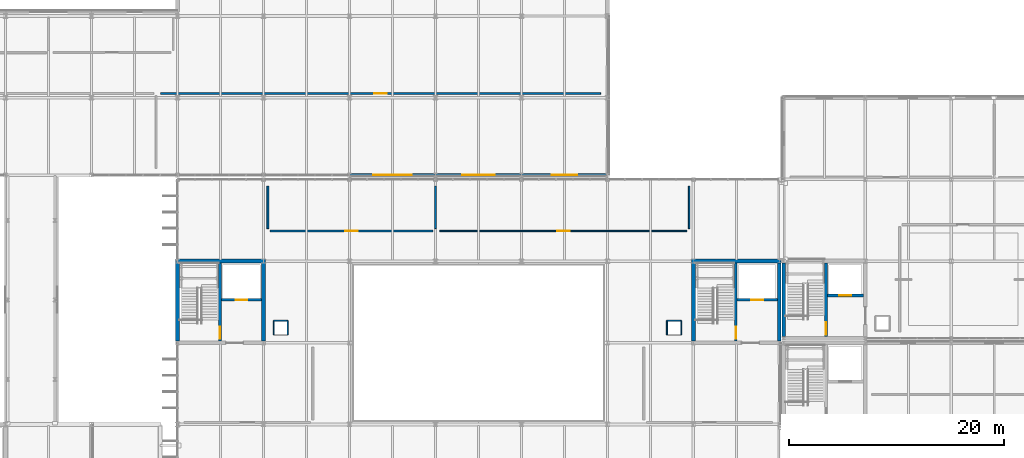
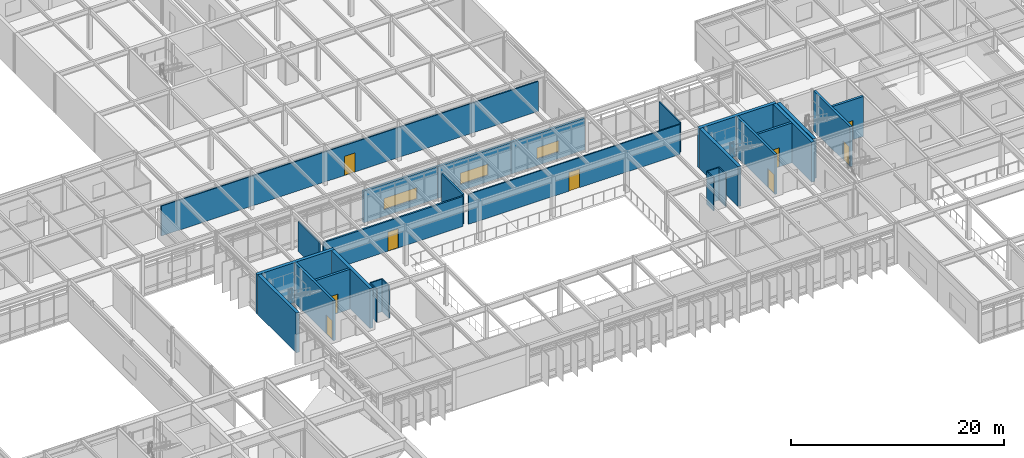
# One storey, part 84 of 104: 28 walls, 9 doors, 3 windows, 12 openings.
"""IFC4 building model written with IfcOpenShell, lengths in metres."""

from ifc_helpers import new_model, si_unit, direction, frame, frame_2d, origin, place, context, subcontext, project, spatial, rectangle, extrude, material, layer, layer_set, type_object, element, fill, save


model = new_model("IFC4")

# Units and contexts
model_context = context("Model", 3, precision=1e-05, world=origin(), true_north=direction((0.0, 1.0)))
body_context = subcontext(model_context, "Body", "Model", "MODEL_VIEW")
ifc_project = project(units=[si_unit("LENGTHUNIT", "METRE"), si_unit("AREAUNIT", "SQUARE_METRE"), si_unit("VOLUMEUNIT", "CUBIC_METRE"), si_unit("PLANEANGLEUNIT", "RADIAN"), si_unit("MASSUNIT", "GRAM", prefix="KILO")], contexts=[model_context])

# Site, building, storey
site_placement = place(None, origin())
site = spatial("IfcSite", under=ifc_project, at=site_placement, CompositionType="ELEMENT")
building_placement = place(site_placement, origin())
building = spatial("IfcBuilding", under=site, at=building_placement, Name="Zulena Civic Courthouse", CompositionType="ELEMENT")
storey_placement = place(building_placement, frame((0.0, 0.0, 10.800048828125)))
storey = spatial("IfcBuildingStorey", under=building, at=storey_placement, Name="L02", CompositionType="ELEMENT", Elevation=10.800048828125)

# Wall, opening, door
ifc_material_1 = material(Name="Concrete C40/50", Category="concrete")
ifc_layer_1 = layer(ifc_material_1, 0.25)
ifc_layer_set_1 = layer_set([ifc_layer_1], Name="Concrete C40/50")
wall_type_1 = type_object("IfcWallType", Name="CoreShearWall_RC250", PredefinedType="SHEAR", material=ifc_layer_set_1)
wall_1_placement = place(storey_placement, frame((128.35009765625, 30.97509765625, 0.0), z_axis=(0.0, 0.0, 1.0), x_axis=(0.0, 1.0, 0.0)))
wall_1 = element("IfcWall", 1, at=wall_1_placement, inside=storey, type_object=wall_type_1, Name="cwall:K3A:L02:DIV", PredefinedType="SHEAR", context=body_context, shape_type="SweptSolid", body=[
    extrude(rectangle(XDim=6.849853515625, YDim=0.25, at=frame_2d((3.4248046875, 0.0))), origin(), (0.0, 0.0, 1.0), 4.58984375),
])
opening_1_placement = place(wall_1_placement, frame((0.179931640625, 0.0, 0.0)))
opening_1 = element("IfcOpeningElement", 2, at=opening_1_placement, cuts=wall_1, Name="Opening ID08", PredefinedType="OPENING", context=body_context, shape_type="SweptSolid", body=[
    extrude(rectangle(XDim=1.14990234375, YDim=2.199951171875, at=frame_2d((0.574951171875, 1.10009765625))), frame((0.0, 0.135009765625, 0.0), z_axis=(0.0, -1.0, 0.0), x_axis=(1.0, 0.0, 0.0)), (0.0, 0.0, 1.0), 0.27001953125),
])
ifc_material_2 = material(Name="Fire-rated galvanised steel ASTM A653 Grade 50", Category="steel")
door_type_1 = type_object("IfcDoorType", Name="IntDoor_Stair_1150x2200", OperationType="NOTDEFINED", PredefinedType="DOOR", material=ifc_material_2)
door_1_placement = place(opening_1_placement, origin())
door_1 = element("IfcDoor", 3, at=door_1_placement, inside=storey, type_object=door_type_1, Name="door:stair:K3A:L02", OperationType="SINGLE_SWING_LEFT", OverallHeight=2.199951171875, OverallWidth=1.14990234375, PredefinedType="DOOR", context=body_context, shape_type="SweptSolid", body=[
    extrude(rectangle(XDim=1.14990234375, YDim=2.199951171875, at=frame_2d((0.574951171875, 1.10009765625))), frame((0.0, 0.02490234375, 0.0), z_axis=(0.0, -1.0, 0.0), x_axis=(1.0, 0.0, 0.0)), (0.0, 0.0, 1.0), 0.050048828125),
])
fill(opening_1, door_1)

wall_2_placement = place(storey_placement, frame((128.47509765625, 34.800048828125, 0.0), z_axis=(0.0, 0.0, 1.0), x_axis=(1.0, 0.0, 0.0)))
wall_2 = element("IfcWall", 4, at=wall_2_placement, inside=storey, type_object=wall_type_1, Name="cwall:K3A:L02:SHF", PredefinedType="SHEAR", context=body_context, shape_type="SweptSolid", body=[
    extrude(rectangle(XDim=3.349853515625, YDim=0.25, at=frame_2d((1.6748046875, 0.0))), origin(), (0.0, 0.0, 1.0), 4.58984375),
])
opening_2_placement = place(wall_2_placement, frame((1.1201171875, 0.0, 0.0)))
opening_2 = element("IfcOpeningElement", 5, at=opening_2_placement, cuts=wall_2, Name="Opening LD02", PredefinedType="OPENING", context=body_context, shape_type="SweptSolid", body=[
    extrude(rectangle(XDim=1.10009765625, YDim=2.199951171875, at=frame_2d((0.550048828125, 1.10009765625))), frame((0.0, 0.135009765625, 0.0), z_axis=(0.0, -1.0, 0.0), x_axis=(1.0, 0.0, 0.0)), (0.0, 0.0, 1.0), 0.27001953125),
])
door_type_2 = type_object("IfcDoorType", Name="LiftLandingDoor_Pass_1100x2200", OperationType="SLIDING_TO_LEFT", PredefinedType="DOOR", material=ifc_material_2)
door_2_placement = place(opening_2_placement, origin())
door_2 = element("IfcDoor", 6, at=door_2_placement, inside=storey, type_object=door_type_2, Name="door:ld:PL-02:L02", OperationType="SLIDING_TO_LEFT", OverallHeight=2.199951171875, OverallWidth=1.10009765625, PredefinedType="DOOR", context=body_context, shape_type="SweptSolid", body=[
    extrude(rectangle(XDim=1.10009765625, YDim=2.199951171875, at=frame_2d((0.550048828125, 1.10009765625))), frame((0.0, 0.02490234375, 0.0), z_axis=(0.0, -1.0, 0.0), x_axis=(1.0, 0.0, 0.0)), (0.0, 0.0, 1.0), 0.050048828125),
])
fill(opening_2, door_2)

wall_3_placement = place(storey_placement, frame((71.949951171875, 30.574951171875, 0.0), z_axis=(0.0, 0.0, 1.0), x_axis=(0.0, 1.0, 0.0)))
wall_3 = element("IfcWall", 7, at=wall_3_placement, inside=storey, type_object=wall_type_1, Name="cwall:K4A:L02:DIV", PredefinedType="SHEAR", context=body_context, shape_type="SweptSolid", body=[
    extrude(rectangle(XDim=7.25, YDim=0.25, at=frame_2d((3.625, 0.0))), origin(), (0.0, 0.0, 1.0), 4.58984375),
])
opening_3_placement = place(wall_3_placement, frame((0.179931640625, 0.0, 0.0)))
opening_3 = element("IfcOpeningElement", 8, at=opening_3_placement, cuts=wall_3, Name="Opening ID08", PredefinedType="OPENING", context=body_context, shape_type="SweptSolid", body=[
    extrude(rectangle(XDim=1.14990234375, YDim=2.199951171875, at=frame_2d((0.574951171875, 1.10009765625))), frame((0.0, 0.135009765625, 0.0), z_axis=(0.0, -1.0, 0.0), x_axis=(1.0, 0.0, 0.0)), (0.0, 0.0, 1.0), 0.27001953125),
])
door_3_placement = place(opening_3_placement, origin())
door_3 = element("IfcDoor", 9, at=door_3_placement, inside=storey, type_object=door_type_1, Name="door:stair:K4A:L02", OperationType="SINGLE_SWING_LEFT", OverallHeight=2.199951171875, OverallWidth=1.14990234375, PredefinedType="DOOR", context=body_context, shape_type="SweptSolid", body=[
    extrude(rectangle(XDim=1.14990234375, YDim=2.199951171875, at=frame_2d((0.574951171875, 1.10009765625))), frame((0.0, 0.02490234375, 0.0), z_axis=(0.0, -1.0, 0.0), x_axis=(1.0, 0.0, 0.0)), (0.0, 0.0, 1.0), 0.050048828125),
])
fill(opening_3, door_3)

wall_4_placement = place(storey_placement, frame((72.074951171875, 34.39990234375, 0.0), z_axis=(0.0, 0.0, 1.0), x_axis=(1.0, 0.0, 0.0)))
wall_4 = element("IfcWall", 10, at=wall_4_placement, inside=storey, type_object=wall_type_1, Name="cwall:K4A:L02:SHF", PredefinedType="SHEAR", context=body_context, shape_type="SweptSolid", body=[
    extrude(rectangle(XDim=3.75, YDim=0.25, at=frame_2d((1.875, 0.0))), origin(), (0.0, 0.0, 1.0), 4.58984375),
])
opening_4_placement = place(wall_4_placement, frame((1.320068359375, 0.0, 0.0)))
opening_4 = element("IfcOpeningElement", 11, at=opening_4_placement, cuts=wall_4, Name="Opening LD02", PredefinedType="OPENING", context=body_context, shape_type="SweptSolid", body=[
    extrude(rectangle(XDim=1.10009765625, YDim=2.199951171875, at=frame_2d((0.550048828125, 1.10009765625))), frame((0.0, 0.135009765625, 0.0), z_axis=(0.0, -1.0, 0.0), x_axis=(1.0, 0.0, 0.0)), (0.0, 0.0, 1.0), 0.27001953125),
])
door_4_placement = place(opening_4_placement, origin())
door_4 = element("IfcDoor", 12, at=door_4_placement, inside=storey, type_object=door_type_2, Name="door:ld:PL-03:L02", OperationType="SLIDING_TO_LEFT", OverallHeight=2.199951171875, OverallWidth=1.10009765625, PredefinedType="DOOR", context=body_context, shape_type="SweptSolid", body=[
    extrude(rectangle(XDim=1.10009765625, YDim=2.199951171875, at=frame_2d((0.550048828125, 1.10009765625))), frame((0.0, 0.02490234375, 0.0), z_axis=(0.0, -1.0, 0.0), x_axis=(1.0, 0.0, 0.0)), (0.0, 0.0, 1.0), 0.050048828125),
])
fill(opening_4, door_4)

wall_5_placement = place(storey_placement, frame((119.949951171875, 30.574951171875, 0.0), z_axis=(0.0, 0.0, 1.0), x_axis=(0.0, 1.0, 0.0)))
wall_5 = element("IfcWall", 13, at=wall_5_placement, inside=storey, type_object=wall_type_1, Name="cwall:K4B:L02:DIV", PredefinedType="SHEAR", context=body_context, shape_type="SweptSolid", body=[
    extrude(rectangle(XDim=7.25, YDim=0.25, at=frame_2d((3.625, 0.0))), origin(), (0.0, 0.0, 1.0), 4.58984375),
])
opening_5_placement = place(wall_5_placement, frame((0.179931640625, 0.0, 0.0)))
opening_5 = element("IfcOpeningElement", 14, at=opening_5_placement, cuts=wall_5, Name="Opening ID08", PredefinedType="OPENING", context=body_context, shape_type="SweptSolid", body=[
    extrude(rectangle(XDim=1.14990234375, YDim=2.199951171875, at=frame_2d((0.574951171875, 1.10009765625))), frame((0.0, 0.135009765625, 0.0), z_axis=(0.0, -1.0, 0.0), x_axis=(1.0, 0.0, 0.0)), (0.0, 0.0, 1.0), 0.27001953125),
])
door_5_placement = place(opening_5_placement, origin())
door_5 = element("IfcDoor", 15, at=door_5_placement, inside=storey, type_object=door_type_1, Name="door:stair:K4B:L02", OperationType="SINGLE_SWING_RIGHT", OverallHeight=2.199951171875, OverallWidth=1.14990234375, PredefinedType="DOOR", context=body_context, shape_type="SweptSolid", body=[
    extrude(rectangle(XDim=1.14990234375, YDim=2.199951171875, at=frame_2d((0.574951171875, 1.10009765625))), frame((0.0, 0.02490234375, 0.0), z_axis=(0.0, -1.0, 0.0), x_axis=(1.0, 0.0, 0.0)), (0.0, 0.0, 1.0), 0.050048828125),
])
fill(opening_5, door_5)

wall_6_placement = place(storey_placement, frame((120.074951171875, 34.39990234375, 0.0), z_axis=(0.0, 0.0, 1.0), x_axis=(1.0, 0.0, 0.0)))
wall_6 = element("IfcWall", 16, at=wall_6_placement, inside=storey, type_object=wall_type_1, Name="cwall:K4B:L02:SHF", PredefinedType="SHEAR", context=body_context, shape_type="SweptSolid", body=[
    extrude(rectangle(XDim=3.75, YDim=0.25, at=frame_2d((1.875, 0.0))), origin(), (0.0, 0.0, 1.0), 4.58984375),
])
opening_6_placement = place(wall_6_placement, frame((1.320068359375, 0.0, 0.0)))
opening_6 = element("IfcOpeningElement", 17, at=opening_6_placement, cuts=wall_6, Name="Opening LD02", PredefinedType="OPENING", context=body_context, shape_type="SweptSolid", body=[
    extrude(rectangle(XDim=1.10009765625, YDim=2.199951171875, at=frame_2d((0.550048828125, 1.10009765625))), frame((0.0, 0.135009765625, 0.0), z_axis=(0.0, -1.0, 0.0), x_axis=(1.0, 0.0, 0.0)), (0.0, 0.0, 1.0), 0.27001953125),
])
door_6_placement = place(opening_6_placement, origin())
door_6 = element("IfcDoor", 18, at=door_6_placement, inside=storey, type_object=door_type_2, Name="door:ld:PL-04:L02", OperationType="SLIDING_TO_LEFT", OverallHeight=2.199951171875, OverallWidth=1.10009765625, PredefinedType="DOOR", context=body_context, shape_type="SweptSolid", body=[
    extrude(rectangle(XDim=1.10009765625, YDim=2.199951171875, at=frame_2d((0.550048828125, 1.10009765625))), frame((0.0, 0.02490234375, 0.0), z_axis=(0.0, -1.0, 0.0), x_axis=(1.0, 0.0, 0.0)), (0.0, 0.0, 1.0), 0.050048828125),
])
fill(opening_6, door_6)

# Walls
ifc_layer_2 = layer(ifc_material_1, 0.35009765625)
ifc_layer_set_2 = layer_set([ifc_layer_2], Name="Concrete C40/50")
wall_type_2 = type_object("IfcWallType", Name="CoreShearWall_RC350", PredefinedType="SHEAR", material=ifc_layer_set_2)
wall_7_placement = place(storey_placement, frame((124.39990234375, 30.97509765625, 0.0), z_axis=(0.0, 0.0, 1.0), x_axis=(0.0, 1.0, 0.0)))
element("IfcWall", 19, at=wall_7_placement, inside=storey, type_object=wall_type_2, Name="cwall:K3A:L02:W", PredefinedType="SHEAR", context=body_context, shape_type="SweptSolid", body=[
    extrude(rectangle(XDim=6.849853515625, YDim=0.35009765625, at=frame_2d((3.4248046875, 0.0))), origin(), (0.0, 0.0, 1.0), 4.58984375),
])
wall_8_placement = place(storey_placement, frame((67.824951171875, 38.0, 0.0), z_axis=(0.0, 0.0, 1.0), x_axis=(1.0, 0.0, 0.0)))
element("IfcWall", 20, at=wall_8_placement, inside=storey, type_object=wall_type_2, Name="cwall:K4A:L02:N", PredefinedType="SHEAR", context=body_context, shape_type="SweptSolid", body=[
    extrude(rectangle(XDim=8.35009765625, YDim=0.35009765625, at=frame_2d((4.175048828125, 0.0))), origin(), (0.0, 0.0, 1.0), 4.58984375),
])
for number, where, z_axis, x_axis, name in (
    (21, (68.0, 30.574951171875, 0.0), (0.0, 0.0, 1.0), (0.0, 1.0, 0.0), "cwall:K4A:L02:W"),
    (22, (76.0, 30.574951171875, 0.0), (0.0, 0.0, 1.0), (0.0, 1.0, 0.0), "cwall:K4A:L02:E"),
):
    element("IfcWall", number, at=place(storey_placement, frame(where, z_axis=z_axis, x_axis=x_axis)), inside=storey, type_object=wall_type_2, Name=name, PredefinedType="SHEAR", context=body_context, shape_type="SweptSolid", body=[
        extrude(rectangle(XDim=7.25, YDim=0.35009765625, at=frame_2d((3.625, 0.0))), origin(), (0.0, 0.0, 1.0), 4.58984375),
    ])
wall_9_placement = place(storey_placement, frame((115.824951171875, 38.0, 0.0), z_axis=(0.0, 0.0, 1.0), x_axis=(1.0, 0.0, 0.0)))
element("IfcWall", 23, at=wall_9_placement, inside=storey, type_object=wall_type_2, Name="cwall:K4B:L02:N", PredefinedType="SHEAR", context=body_context, shape_type="SweptSolid", body=[
    extrude(rectangle(XDim=8.35009765625, YDim=0.35009765625, at=frame_2d((4.175048828125, 0.0))), origin(), (0.0, 0.0, 1.0), 4.58984375),
])
for number, where, z_axis, x_axis, name in (
    (24, (116.0, 30.574951171875, 0.0), (0.0, 0.0, 1.0), (0.0, 1.0, 0.0), "cwall:K4B:L02:W"),
    (25, (124.0, 30.574951171875, 0.0), (0.0, 0.0, 1.0), (0.0, 1.0, 0.0), "cwall:K4B:L02:E"),
):
    element("IfcWall", number, at=place(storey_placement, frame(where, z_axis=z_axis, x_axis=x_axis)), inside=storey, type_object=wall_type_2, Name=name, PredefinedType="SHEAR", context=body_context, shape_type="SweptSolid", body=[
        extrude(rectangle(XDim=7.25, YDim=0.35009765625, at=frame_2d((3.625, 0.0))), origin(), (0.0, 0.0, 1.0), 4.58984375),
    ])

# Wall, opening, window
ifc_material_3 = material(Name="Buff architectural precast concrete C40/50", Category="concrete")
ifc_layer_3 = layer(ifc_material_3, 0.264892578125)
ifc_layer_set_3 = layer_set([ifc_layer_3], Name="Buff architectural precast concrete C40/50")
wall_type_3 = type_object("IfcWallType", Name="ExtWall_BuffPrecast_265", PredefinedType="STANDARD", material=ifc_layer_set_3)
wall_10_placement = place(storey_placement, frame((108.02001953125, 46.0, 0.0), z_axis=(0.0, 0.0, 1.0), x_axis=(-1.0, 0.0, 0.0)))
wall_10 = element("IfcWall", 26, at=wall_10_placement, inside=storey, type_object=wall_type_3, Name="ewall:V5:L02:5:0", PredefinedType="STANDARD", context=body_context, shape_type="SweptSolid", body=[
    extrude(rectangle(XDim=8.0400390625, YDim=0.264892578125, at=frame_2d((4.02001953125, 0.0))), origin(), (0.0, 0.0, 1.0), 3.659912109375),
])
opening_7_placement = place(wall_10_placement, frame((2.820068359375, 0.0, 0.75)))
opening_7 = element("IfcOpeningElement", 27, at=opening_7_placement, cuts=wall_10, Name="Opening WN32", PredefinedType="OPENING", context=body_context, shape_type="SweptSolid", body=[
    extrude(rectangle(XDim=2.39990234375, YDim=1.300048828125, at=frame_2d((1.199951171875, 0.64990234375))), frame((0.0, 0.142333984375, 0.0), z_axis=(0.0, -1.0, 0.0), x_axis=(1.0, 0.0, 0.0)), (0.0, 0.0, 1.0), 0.284912109375),
])
ifc_material_4 = material(Name="Double-silver low-E laminated solar-control glass", Category="glass")
window_type_1 = type_object("IfcWindowType", Name="Win_2400x1300", PartitioningType="DOUBLE_PANEL_VERTICAL", PredefinedType="WINDOW", material=ifc_material_4)
window_1_placement = place(opening_7_placement, origin())
window_1 = element("IfcWindow", 28, at=window_1_placement, inside=storey, type_object=window_type_1, Name="win:V5:L02:5:0", OverallHeight=1.300048828125, OverallWidth=2.39990234375, PartitioningType="SINGLE_PANEL", PredefinedType="WINDOW", context=body_context, shape_type="SweptSolid", body=[
    extrude(rectangle(XDim=2.39990234375, YDim=1.300048828125, at=frame_2d((1.199951171875, 0.64990234375))), frame((0.0, 0.030029296875, 0.0), z_axis=(0.0, -1.0, 0.0), x_axis=(1.0, 0.0, 0.0)), (0.0, 0.0, 1.0), 0.06005859375),
])
fill(opening_7, window_1)

wall_11_placement = place(storey_placement, frame((100.02001953125, 46.0, 0.0), z_axis=(0.0, 0.0, 1.0), x_axis=(-1.0, 0.0, 0.0)))
wall_11 = element("IfcWall", 29, at=wall_11_placement, inside=storey, type_object=wall_type_3, Name="ewall:V5:L02:5:1", PredefinedType="STANDARD", context=body_context, shape_type="SweptSolid", body=[
    extrude(rectangle(XDim=8.0400390625, YDim=0.264892578125, at=frame_2d((4.02001953125, 0.0))), origin(), (0.0, 0.0, 1.0), 3.659912109375),
])
opening_8_placement = place(wall_11_placement, frame((2.52001953125, 0.0, 0.75)))
opening_8 = element("IfcOpeningElement", 30, at=opening_8_placement, cuts=wall_11, Name="Opening WN33", PredefinedType="OPENING", context=body_context, shape_type="SweptSolid", body=[
    extrude(rectangle(XDim=3.0, YDim=1.300048828125, at=frame_2d((1.5, 0.64990234375))), frame((0.0, 0.142333984375, 0.0), z_axis=(0.0, -1.0, 0.0), x_axis=(1.0, 0.0, 0.0)), (0.0, 0.0, 1.0), 0.284912109375),
])
window_type_2 = type_object("IfcWindowType", Name="Win_3000x1300", PartitioningType="DOUBLE_PANEL_VERTICAL", PredefinedType="WINDOW", material=ifc_material_4)
window_2_placement = place(opening_8_placement, origin())
window_2 = element("IfcWindow", 31, at=window_2_placement, inside=storey, type_object=window_type_2, Name="win:V5:L02:5:1", OverallHeight=1.300048828125, OverallWidth=3.0, PartitioningType="SINGLE_PANEL", PredefinedType="WINDOW", context=body_context, shape_type="SweptSolid", body=[
    extrude(rectangle(XDim=3.0, YDim=1.300048828125, at=frame_2d((1.5, 0.64990234375))), frame((0.0, 0.030029296875, 0.0), z_axis=(0.0, -1.0, 0.0), x_axis=(1.0, 0.0, 0.0)), (0.0, 0.0, 1.0), 0.06005859375),
])
fill(opening_8, window_2)

wall_12_placement = place(storey_placement, frame((92.02001953125, 46.0, 0.0), z_axis=(0.0, 0.0, 1.0), x_axis=(-1.0, 0.0, 0.0)))
wall_12 = element("IfcWall", 32, at=wall_12_placement, inside=storey, type_object=wall_type_3, Name="ewall:V5:L02:5:2", PredefinedType="STANDARD", context=body_context, shape_type="SweptSolid", body=[
    extrude(rectangle(XDim=8.0400390625, YDim=0.264892578125, at=frame_2d((4.02001953125, 0.0))), origin(), (0.0, 0.0, 1.0), 3.659912109375),
])
opening_9_placement = place(wall_12_placement, frame((2.219970703125, 0.0, 0.75)))
opening_9 = element("IfcOpeningElement", 33, at=opening_9_placement, cuts=wall_12, Name="Opening WN34", PredefinedType="OPENING", context=body_context, shape_type="SweptSolid", body=[
    extrude(rectangle(XDim=3.60009765625, YDim=1.300048828125, at=frame_2d((1.800048828125, 0.64990234375))), frame((0.0, 0.142333984375, 0.0), z_axis=(0.0, -1.0, 0.0), x_axis=(1.0, 0.0, 0.0)), (0.0, 0.0, 1.0), 0.284912109375),
])
window_type_3 = type_object("IfcWindowType", Name="Win_3600x1300", PartitioningType="DOUBLE_PANEL_VERTICAL", PredefinedType="WINDOW", material=ifc_material_4)
window_3_placement = place(opening_9_placement, origin())
window_3 = element("IfcWindow", 34, at=window_3_placement, inside=storey, type_object=window_type_3, Name="win:V5:L02:5:2", OverallHeight=1.300048828125, OverallWidth=3.60009765625, PartitioningType="SINGLE_PANEL", PredefinedType="WINDOW", context=body_context, shape_type="SweptSolid", body=[
    extrude(rectangle(XDim=3.60009765625, YDim=1.300048828125, at=frame_2d((1.800048828125, 0.64990234375))), frame((0.0, 0.030029296875, 0.0), z_axis=(0.0, -1.0, 0.0), x_axis=(1.0, 0.0, 0.0)), (0.0, 0.0, 1.0), 0.06005859375),
])
fill(opening_9, window_3)

# Wall, opening, door
ifc_material_5 = material(Name="Acoustic fire-rated gypsum board assembly", Category="masonry")
ifc_layer_4 = layer(ifc_material_5, 0.14599609375)
ifc_layer_set_4 = layer_set([ifc_layer_4], Name="Acoustic fire-rated gypsum board assembly")
wall_type_4 = type_object("IfcWallType", Name="PartWall_Chambers_146", PredefinedType="PARTITIONING", material=ifc_layer_set_4)
wall_13_placement = place(storey_placement, frame((66.419921875, 53.60009765625, 0.0), z_axis=(0.0, 0.0, 1.0), x_axis=(1.0, 0.0, 0.0)))
wall_13 = element("IfcWall", 35, at=wall_13_placement, inside=storey, type_object=wall_type_4, Name="pwall:L02:390:0", PredefinedType="PARTITIONING", context=body_context, shape_type="SweptSolid", body=[
    extrude(rectangle(XDim=40.9599609375, YDim=0.14599609375, at=frame_2d((20.47998046875, 0.0))), origin(), (0.0, 0.0, 1.0), 3.449951171875),
])
opening_10_placement = place(wall_13_placement, frame((19.905029296875, 0.0, 0.0)))
opening_10 = element("IfcOpeningElement", 36, at=opening_10_placement, cuts=wall_13, Name="Opening ID08", PredefinedType="OPENING", context=body_context, shape_type="SweptSolid", body=[
    extrude(rectangle(XDim=1.14990234375, YDim=2.199951171875, at=frame_2d((0.574951171875, 1.10009765625))), frame((0.0, 0.0830078125, 0.0), z_axis=(0.0, -1.0, 0.0), x_axis=(1.0, 0.0, 0.0)), (0.0, 0.0, 1.0), 0.166015625),
])
door_7_placement = place(opening_10_placement, origin())
door_7 = element("IfcDoor", 37, at=door_7_placement, inside=storey, type_object=door_type_1, Name="door:rm:L02:390", OperationType="SINGLE_SWING_RIGHT", OverallHeight=2.199951171875, OverallWidth=1.14990234375, PredefinedType="DOOR", context=body_context, shape_type="SweptSolid", body=[
    extrude(rectangle(XDim=1.14990234375, YDim=2.199951171875, at=frame_2d((0.574951171875, 1.10009765625))), frame((0.0, 0.02490234375, 0.0), z_axis=(0.0, -1.0, 0.0), x_axis=(1.0, 0.0, 0.0)), (0.0, 0.0, 1.0), 0.050048828125),
])
fill(opening_10, door_7)

ifc_layer_5 = layer(ifc_material_5, 0.177978515625)
ifc_layer_set_5 = layer_set([ifc_layer_5], Name="Acoustic fire-rated gypsum board assembly")
wall_type_5 = type_object("IfcWallType", Name="PartWall_Corridor_178", PredefinedType="PARTITIONING", material=ifc_layer_set_5)
wall_14_placement = place(storey_placement, frame((76.6201171875, 40.800048828125, 0.0), z_axis=(0.0, 0.0, 1.0), x_axis=(1.0, 0.0, 0.0)))
wall_14 = element("IfcWall", 38, at=wall_14_placement, inside=storey, type_object=wall_type_5, Name="pwall:L02:246:0", PredefinedType="PARTITIONING", context=body_context, shape_type="SweptSolid", body=[
    extrude(rectangle(XDim=15.159912109375, YDim=0.177978515625, at=frame_2d((7.580078125, 0.0))), origin(), (0.0, 0.0, 1.0), 3.449951171875),
])
opening_11_placement = place(wall_14_placement, frame((7.0048828125, 0.0, 0.0)))
opening_11 = element("IfcOpeningElement", 39, at=opening_11_placement, cuts=wall_14, Name="Opening ID08", PredefinedType="OPENING", context=body_context, shape_type="SweptSolid", body=[
    extrude(rectangle(XDim=1.14990234375, YDim=2.199951171875, at=frame_2d((0.574951171875, 1.10009765625))), frame((0.0, 0.098876953125, 0.0), z_axis=(0.0, -1.0, 0.0), x_axis=(1.0, 0.0, 0.0)), (0.0, 0.0, 1.0), 0.197998046875),
])
door_8_placement = place(opening_11_placement, origin())
door_8 = element("IfcDoor", 40, at=door_8_placement, inside=storey, type_object=door_type_1, Name="door:rm:L02:246", OperationType="SINGLE_SWING_RIGHT", OverallHeight=2.199951171875, OverallWidth=1.14990234375, PredefinedType="DOOR", context=body_context, shape_type="SweptSolid", body=[
    extrude(rectangle(XDim=1.14990234375, YDim=2.199951171875, at=frame_2d((0.574951171875, 1.10009765625))), frame((0.0, 0.02490234375, 0.0), z_axis=(0.0, -1.0, 0.0), x_axis=(1.0, 0.0, 0.0)), (0.0, 0.0, 1.0), 0.050048828125),
])
fill(opening_11, door_8)

# Walls
for number, where, z_axis, x_axis, name in (
    (41, (92.0, 41.02001953125, 0.0), (0.0, 0.0, 1.0), (0.0, 1.0, 0.0), "pwall:L02:246:1"),
    (42, (76.39990234375, 41.02001953125, 0.0), (0.0, 0.0, 1.0), (0.0, 1.0, 0.0), "pwall:L02:246:2"),
):
    element("IfcWall", number, at=place(storey_placement, frame(where, z_axis=z_axis, x_axis=x_axis)), inside=storey, type_object=wall_type_5, Name=name, PredefinedType="PARTITIONING", context=body_context, shape_type="SweptSolid", body=[
        extrude(rectangle(XDim=3.9599609375, YDim=0.177978515625, at=frame_2d((1.97998046875, 0.0))), origin(), (0.0, 0.0, 1.0), 3.449951171875),
    ])
ifc_material_6 = material(Name="Insulated blockwork masonry ASTM C90", Category="masonry")
ifc_layer_6 = layer(ifc_material_6, 0.114990234375)
ifc_layer_set_6 = layer_set([ifc_layer_6], Name="Insulated blockwork masonry ASTM C90")
wall_type_6 = type_object("IfcWallType", Name="PartWall_Riser_115", PredefinedType="PARTITIONING", material=ifc_layer_set_6)
for number, where, z_axis, x_axis, name in (
    (43, (78.260009765625, 31.139892578125, 0.0), (0.0, 0.0, 1.0), (0.0, 1.0, 0.0), "riser:RS-V4W:L02:1"),
    (44, (78.260009765625, 32.4599609375, 0.0), (0.0, 0.0, 1.0), (-1.0, 0.0, 0.0), "riser:RS-V4W:L02:2"),
    (45, (76.93994140625, 32.4599609375, 0.0), (0.0, 0.0, 1.0), (0.0, -1.0, 0.0), "riser:RS-V4W:L02:3"),
    (46, (114.860107421875, 31.139892578125, 0.0), (0.0, 0.0, 1.0), (0.0, 1.0, 0.0), "riser:RS-V4E:L02:1"),
    (47, (114.860107421875, 32.4599609375, 0.0), (0.0, 0.0, 1.0), (-1.0, 0.0, 0.0), "riser:RS-V4E:L02:2"),
    (48, (113.5400390625, 32.4599609375, 0.0), (0.0, 0.0, 1.0), (0.0, -1.0, 0.0), "riser:RS-V4E:L02:3"),
):
    element("IfcWall", number, at=place(storey_placement, frame(where, z_axis=z_axis, x_axis=x_axis)), inside=storey, type_object=wall_type_6, Name=name, PredefinedType="PARTITIONING", context=body_context, shape_type="SweptSolid", body=[
        extrude(rectangle(XDim=1.320068359375, YDim=0.114990234375, at=frame_2d((0.66015625, 0.0))), origin(), (0.0, 0.0, 1.0), 3.75),
    ])

# Wall, opening, door
ifc_layer_7 = layer(ifc_material_6, 0.1279296875)
ifc_layer_set_7 = layer_set([ifc_layer_7], Name="Insulated blockwork masonry ASTM C90")
wall_type_7 = type_object("IfcWallType", Name="PartWall_WetRoom_128", PredefinedType="PARTITIONING", material=ifc_layer_set_7)
wall_15_placement = place(storey_placement, frame((92.419921875, 40.800048828125, 0.0), z_axis=(0.0, 0.0, 1.0), x_axis=(1.0, 0.0, 0.0)))
wall_15 = element("IfcWall", 49, at=wall_15_placement, inside=storey, type_object=wall_type_7, Name="pwall:L02:247:0", PredefinedType="PARTITIONING", context=body_context, shape_type="SweptSolid", body=[
    extrude(rectangle(XDim=22.9599609375, YDim=0.1279296875, at=frame_2d((11.47998046875, 0.0))), origin(), (0.0, 0.0, 1.0), 3.449951171875),
])
opening_12_placement = place(wall_15_placement, frame((10.905029296875, 0.0, 0.0)))
opening_12 = element("IfcOpeningElement", 50, at=opening_12_placement, cuts=wall_15, Name="Opening ID09", PredefinedType="OPENING", context=body_context, shape_type="SweptSolid", body=[
    extrude(rectangle(XDim=1.14990234375, YDim=2.14990234375, at=frame_2d((0.574951171875, 1.074951171875))), frame((0.0, 0.073974609375, 0.0), z_axis=(0.0, -1.0, 0.0), x_axis=(1.0, 0.0, 0.0)), (0.0, 0.0, 1.0), 0.14794921875),
])
door_type_3 = type_object("IfcDoorType", Name="IntDoor_Custody_1150x2150", OperationType="NOTDEFINED", PredefinedType="DOOR", material=ifc_material_2)
door_9_placement = place(opening_12_placement, origin())
door_9 = element("IfcDoor", 51, at=door_9_placement, inside=storey, type_object=door_type_3, Name="door:rm:L02:247", OperationType="SINGLE_SWING_LEFT", OverallHeight=2.14990234375, OverallWidth=1.14990234375, PredefinedType="DOOR", context=body_context, shape_type="SweptSolid", body=[
    extrude(rectangle(XDim=1.14990234375, YDim=2.14990234375, at=frame_2d((0.574951171875, 1.074951171875))), frame((0.0, 0.02490234375, 0.0), z_axis=(0.0, -1.0, 0.0), x_axis=(1.0, 0.0, 0.0)), (0.0, 0.0, 1.0), 0.050048828125),
])
fill(opening_12, door_9)

# Wall
wall_16_placement = place(storey_placement, frame((115.60009765625, 41.02001953125, 0.0), z_axis=(0.0, 0.0, 1.0), x_axis=(0.0, 1.0, 0.0)))
element("IfcWall", 52, at=wall_16_placement, inside=storey, type_object=wall_type_7, Name="pwall:L02:247:1", PredefinedType="PARTITIONING", context=body_context, shape_type="SweptSolid", body=[
    extrude(rectangle(XDim=3.9599609375, YDim=0.1279296875, at=frame_2d((1.97998046875, 0.0))), origin(), (0.0, 0.0, 1.0), 3.449951171875),
])

save(model, "model.ifc")
